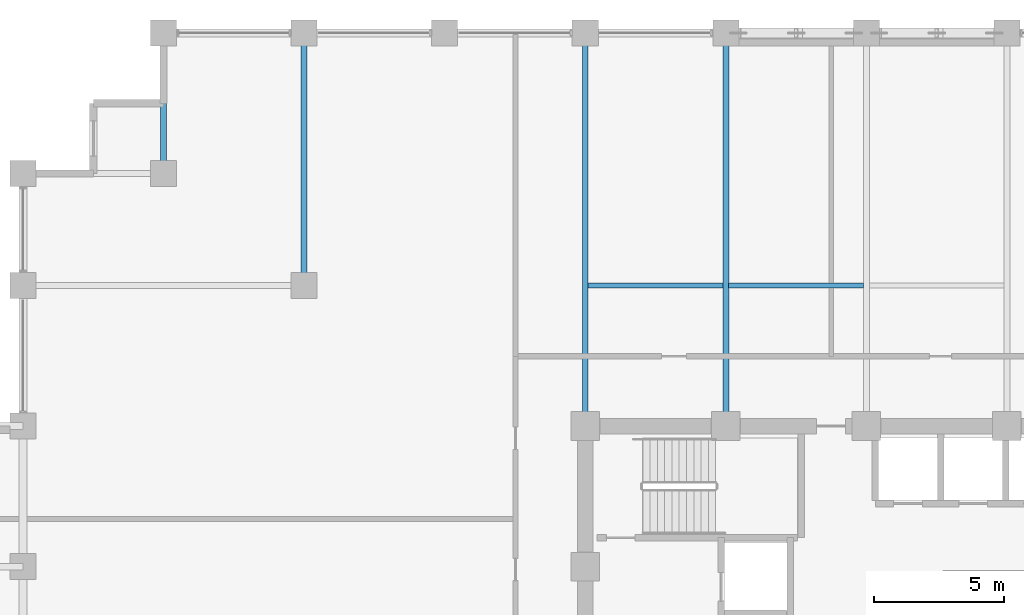
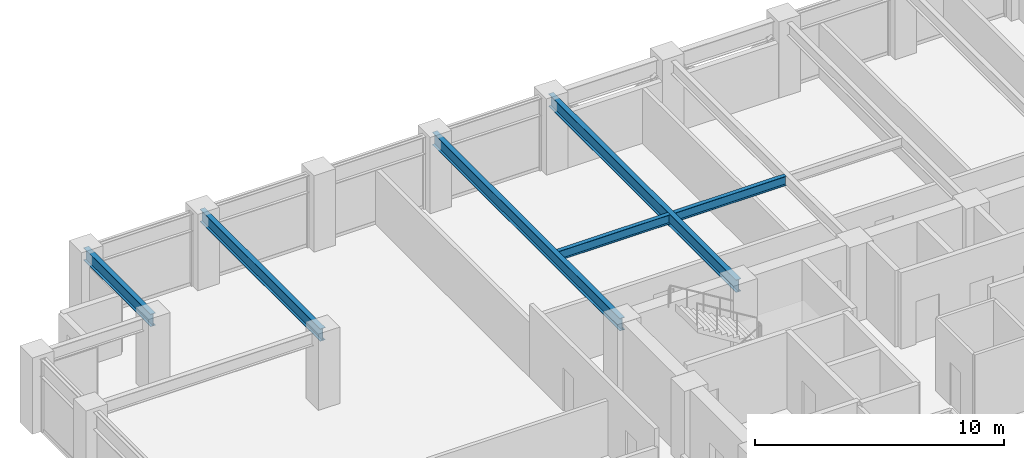
# One storey, part 12 of 26: 6 beams.
"""IFC4 building model written with IfcOpenShell, lengths in metres."""

from ifc_helpers import new_model, si_unit, direction, frame, origin, origin_2d, place, context, subcontext, project, spatial, i_section, extrude, material, material_profile, profile_set, type_object, element, save


model = new_model("IFC4")

# Units and contexts
model_context = context("Model", 3, precision=1e-05, world=origin(), true_north=direction((0.0, 1.0)))
body_context = subcontext(model_context, "Body", "Model", "MODEL_VIEW")
ifc_project = project(units=[si_unit("LENGTHUNIT", "METRE"), si_unit("AREAUNIT", "SQUARE_METRE"), si_unit("VOLUMEUNIT", "CUBIC_METRE"), si_unit("PLANEANGLEUNIT", "RADIAN"), si_unit("MASSUNIT", "GRAM", prefix="KILO")], contexts=[model_context])

# Site, building, storey
site_placement = place(None, origin())
site = spatial("IfcSite", under=ifc_project, at=site_placement, CompositionType="ELEMENT")
building_placement = place(site_placement, origin())
building = spatial("IfcBuilding", under=site, at=building_placement, Name="Surkhivell Harbour Commons", CompositionType="ELEMENT")
storey_placement = place(building_placement, frame((0.0, 0.0, 147.0)))
storey = spatial("IfcBuildingStorey", under=building, at=storey_placement, Name="L38", CompositionType="ELEMENT", Elevation=147.0)

# Beams
ifc_material = material(Name="Steel S355", Category="steel")
ifc_material_profile_1 = material_profile(ifc_material, i_section(OverallWidth=0.22998046875, OverallDepth=0.616943359375, WebThickness=0.01318359375, FlangeThickness=0.022216796875, at=origin_2d()), Name="UB610x229x140")
ifc_profile_set_1 = profile_set([ifc_material_profile_1], Name="Steel S355")
beam_type_1 = type_object("IfcBeamType", Name="BM-GRD-610B", PredefinedType="BEAM", material=ifc_profile_set_1)
beam_1_placement = place(storey_placement, frame((-27.0, 20.5, 3.261474609375), z_axis=(0.0, 1.0, 0.0), x_axis=(-1.0, 0.0, 0.0)))
element("IfcBeam", 1, at=beam_1_placement, inside=storey, type_object=beam_type_1, Name="L38 Floor Girder (-27.0,20.5)", PredefinedType="BEAM", context=body_context, shape_type="SweptSolid", body=[
    extrude(i_section(OverallWidth=0.22998046875, OverallDepth=0.616943359375, WebThickness=0.01318359375, FlangeThickness=0.022216796875, at=origin_2d()), origin(), (0.0, 0.0, 1.0), 5.39990234375),
])
beam_2_placement = place(storey_placement, frame((-21.60009765625, 16.199951171875, 3.261474609375), z_axis=(0.0, 1.0, 0.0), x_axis=(-1.0, 0.0, 0.0)))
element("IfcBeam", 2, at=beam_2_placement, inside=storey, type_object=beam_type_1, Name="L38 Floor Girder (-21.6,16.2)", PredefinedType="BEAM", context=body_context, shape_type="SweptSolid", body=[
    extrude(i_section(OverallWidth=0.22998046875, OverallDepth=0.616943359375, WebThickness=0.01318359375, FlangeThickness=0.022216796875, at=origin_2d()), origin(), (0.0, 0.0, 1.0), 9.699951171875),
])
for number, where, z_axis, x_axis, name in (
    (3, (-10.800048828125, 10.800048828125, 3.261474609375), (0.0, 1.0, 0.0), (-1.0, 0.0, 0.0), "L38 Floor Girder (-10.8,10.8)"),
    (4, (-5.39990234375, 10.800048828125, 3.261474609375), (0.0, 1.0, 0.0), (-1.0, 0.0, 0.0), "L38 Floor Girder (-5.4,10.8)"),
):
    element("IfcBeam", number, at=place(storey_placement, frame(where, z_axis=z_axis, x_axis=x_axis)), inside=storey, type_object=beam_type_1, Name=name, PredefinedType="BEAM", context=body_context, shape_type="SweptSolid", body=[
        extrude(i_section(OverallWidth=0.22998046875, OverallDepth=0.616943359375, WebThickness=0.01318359375, FlangeThickness=0.022216796875, at=origin_2d()), origin(), (0.0, 0.0, 1.0), 15.099853515625),
    ])
ifc_material_profile_2 = material_profile(ifc_material, i_section(OverallWidth=0.18994140625, OverallDepth=0.45703125, WebThickness=0.009033203125, FlangeThickness=0.014404296875, at=origin_2d()), Name="UB457x191x74")
ifc_profile_set_2 = profile_set([ifc_material_profile_2], Name="Steel S355")
beam_type_2 = type_object("IfcBeamType", Name="BM-JST-457B", PredefinedType="JOIST", material=ifc_profile_set_2)
for number, where, z_axis, x_axis, name in (
    (5, (-10.68701171875, 16.199951171875, 3.341552734375), (1.0, 0.0, 0.0), (0.0, 1.0, 0.0), "L38 North Composite Joist (-10.8)"),
    (6, (-5.287109375, 16.199951171875, 3.341552734375), (1.0, 0.0, 0.0), (0.0, 1.0, 0.0), "L38 North Composite Joist (-5.4)"),
):
    element("IfcBeam", number, at=place(storey_placement, frame(where, z_axis=z_axis, x_axis=x_axis)), inside=storey, type_object=beam_type_2, Name=name, PredefinedType="JOIST", context=body_context, shape_type="SweptSolid", body=[
        extrude(i_section(OverallWidth=0.18994140625, OverallDepth=0.45703125, WebThickness=0.009033203125, FlangeThickness=0.014404296875, at=origin_2d()), origin(), (0.0, 0.0, 1.0), 5.174072265625),
    ])

save(model, "model.ifc")
